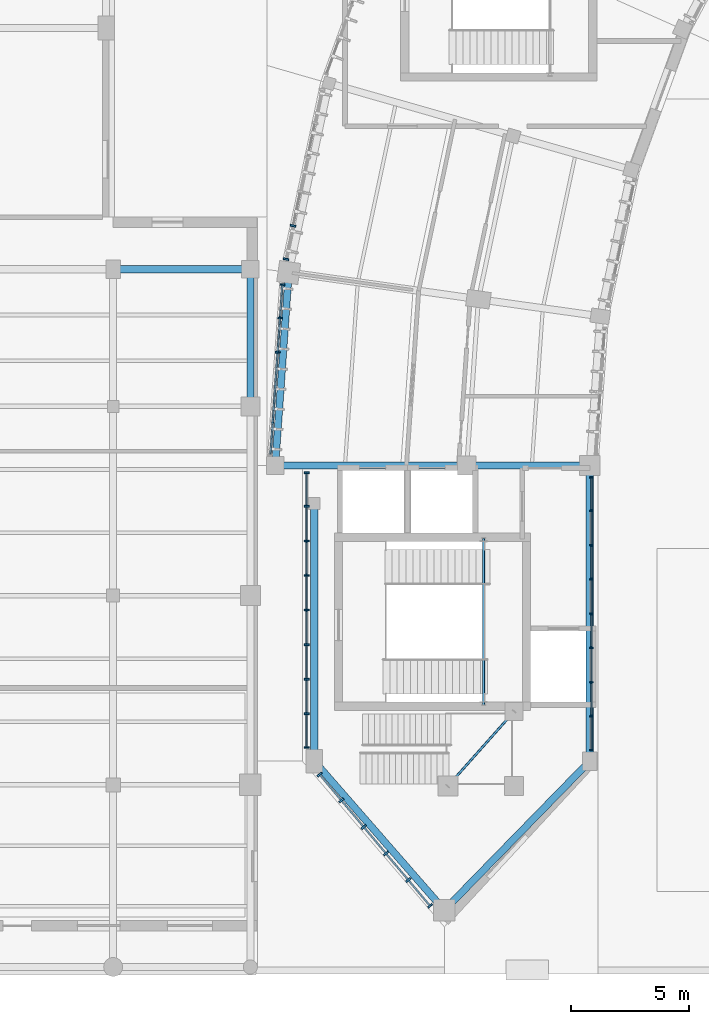
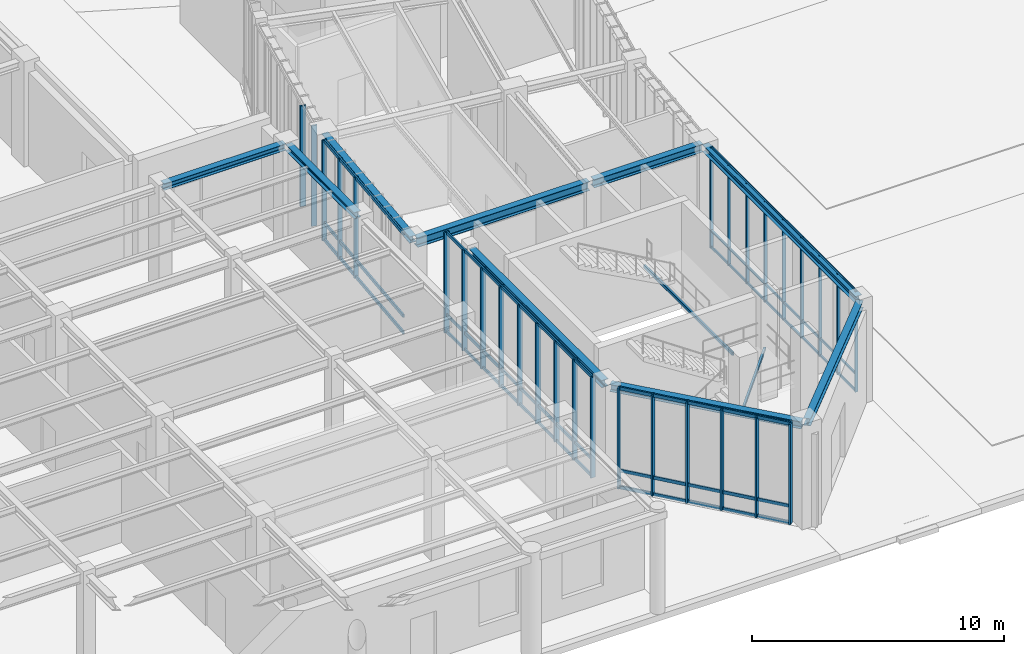
# One storey, part 4 of 68: 43 members, 9 beams, 5 elements without a shape of their own.
"""IFC4 building model written with IfcOpenShell, lengths in metres."""

from ifc_helpers import new_model, si_unit, direction, frame, origin, origin_2d, place, context, subcontext, project, spatial, rectangle, hollow_rectangle, i_section, extrude, material, layer, layer_set, material_profile, profile_set, type_object, element, aggregate, save


model = new_model("IFC4")

# Units and contexts
model_context = context("Model", 3, precision=1e-05, world=origin(), true_north=direction((0.0, 1.0)))
body_context = subcontext(model_context, "Body", "Model", "MODEL_VIEW")
ifc_project = project(units=[si_unit("LENGTHUNIT", "METRE"), si_unit("AREAUNIT", "SQUARE_METRE"), si_unit("VOLUMEUNIT", "CUBIC_METRE"), si_unit("PLANEANGLEUNIT", "RADIAN"), si_unit("MASSUNIT", "GRAM", prefix="KILO"), si_unit("THERMODYNAMICTEMPERATUREUNIT", "KELVIN"), si_unit("POWERUNIT", "WATT")], contexts=[model_context])

# Site, building, storey
site_placement = place(None, origin())
site = spatial("IfcSite", under=ifc_project, at=site_placement, CompositionType="ELEMENT")
building_placement = place(site_placement, origin())
building = spatial("IfcBuilding", under=site, at=building_placement, Name="Solvatero Civic Police Headquarters", CompositionType="ELEMENT")
storey_placement = place(building_placement, origin())
storey = spatial("IfcBuildingStorey", under=building, at=storey_placement, Name="L00", CompositionType="ELEMENT", Elevation=0.0)

# Beams
ifc_material_1 = material(Name="Steel S355", Category="steel")
ifc_material_profile_1 = material_profile(ifc_material_1, i_section(OverallWidth=0.300048828125, OverallDepth=0.31005859375, WebThickness=0.009033203125, FlangeThickness=0.015380859375, FilletRadius=0.027099609375, at=origin_2d()), Name="HEA 320")
ifc_profile_set_1 = profile_set([ifc_material_profile_1], Name="Steel S355")
beam_type_1 = type_object("IfcBeamType", Name="BM-ST-HEA320", PredefinedType="SPANDREL", material=ifc_profile_set_1)
beam_1_placement = place(storey_placement, frame((28.60009765625, 34.300048828125, 4.72509765625), z_axis=(1.0, 0.0, 0.0), x_axis=(0.0, 1.0, 0.0)))
element("IfcBeam", 1, at=beam_1_placement, inside=storey, type_object=beam_type_1, Name="Perimeter / radial spandrel beam BM-R2-L00-V4-GX-4-5", PredefinedType="SPANDREL", context=body_context, shape_type="SweptSolid", body=[
    extrude(i_section(OverallWidth=0.300048828125, OverallDepth=0.31005859375, WebThickness=0.009033203125, FlangeThickness=0.015380859375, FilletRadius=0.027099609375, at=origin_2d()), origin(), (0.0, 0.0, 1.0), 5.599853515625),
])
beam_2_placement = place(storey_placement, frame((34.300048828125, 28.659912109375, 4.72509765625), z_axis=(0.0, 1.0, 0.0), x_axis=(-1.0, 0.0, 0.0)))
element("IfcBeam", 2, at=beam_2_placement, inside=storey, type_object=beam_type_1, Name="Perimeter / radial spandrel beam BM-R2-L00-V4-GY-5-4", PredefinedType="SPANDREL", context=body_context, shape_type="SweptSolid", body=[
    extrude(i_section(OverallWidth=0.300048828125, OverallDepth=0.31005859375, WebThickness=0.009033203125, FlangeThickness=0.015380859375, FilletRadius=0.027099609375, at=origin_2d()), origin(), (0.0, 0.0, 1.0), 5.47998046875),
])
beam_3_placement = place(storey_placement, frame((35.913818359375, 34.062744140625, 4.72509765625), z_axis=(-0.06976460332, -0.997563481751, 0.0), x_axis=(0.997563481751, -0.06976460332, 0.0)))
element("IfcBeam", 3, at=beam_3_placement, inside=storey, type_object=beam_type_1, Name="Perimeter / radial spandrel beam BM-R2-L00-ARC-COUT-B12", PredefinedType="SPANDREL", context=body_context, shape_type="SweptSolid", body=[
    extrude(i_section(OverallWidth=0.300048828125, OverallDepth=0.31005859375, WebThickness=0.009033203125, FlangeThickness=0.015380859375, FilletRadius=0.027099609375, at=origin_2d()), origin(), (0.0, 0.0, 1.0), 7.982421875),
])
ifc_material_profile_2 = material_profile(ifc_material_1, i_section(OverallWidth=0.300048828125, OverallDepth=0.35009765625, WebThickness=0.010009765625, FlangeThickness=0.017578125, FilletRadius=0.027099609375, at=origin_2d()), Name="HEA 360")
ifc_profile_set_2 = profile_set([ifc_material_profile_2], Name="Steel S355")
beam_type_2 = type_object("IfcBeamType", Name="BM-ST-HEA360", PredefinedType="SPANDREL", material=ifc_profile_set_2)
beam_4_placement = place(storey_placement, frame((37.0, 24.239990234375, 4.705078125), z_axis=(0.0, -1.0, 0.0), x_axis=(1.0, 0.0, 0.0)))
element("IfcBeam", 4, at=beam_4_placement, inside=storey, type_object=beam_type_2, Name="Perimeter / radial spandrel beam BM-R2-L00-PROW-W", PredefinedType="SPANDREL", context=body_context, shape_type="SweptSolid", body=[
    extrude(i_section(OverallWidth=0.300048828125, OverallDepth=0.35009765625, WebThickness=0.010009765625, FlangeThickness=0.017578125, FilletRadius=0.027099609375, at=origin_2d()), origin(), (0.0, 0.0, 1.0), 10.580078125),
])
beam_5_placement = place(storey_placement, frame((37.105224609375, 13.37939453125, 4.705078125), z_axis=(0.657663937616, -0.753311452959, 0.0), x_axis=(0.753311452959, 0.657663937616, 0.0)))
element("IfcBeam", 5, at=beam_5_placement, inside=storey, type_object=beam_type_2, Name="Perimeter / radial spandrel beam BM-R2-L00-PROW-SW", PredefinedType="SPANDREL", context=body_context, shape_type="SweptSolid", body=[
    extrude(i_section(OverallWidth=0.300048828125, OverallDepth=0.35009765625, WebThickness=0.010009765625, FlangeThickness=0.017578125, FilletRadius=0.027099609375, at=origin_2d()), origin(), (0.0, 0.0, 1.0), 8.04296875),
])
beam_6_placement = place(storey_placement, frame((42.61181640625, 7.314453125, 4.705078125), z_axis=(0.698523042205, 0.715587562433, 0.0), x_axis=(-0.715587562433, 0.698523042205, 0.0)))
element("IfcBeam", 6, at=beam_6_placement, inside=storey, type_object=beam_type_2, Name="Perimeter / radial spandrel beam BM-R2-L00-PROW-SE", PredefinedType="SPANDREL", context=body_context, shape_type="SweptSolid", body=[
    extrude(i_section(OverallWidth=0.300048828125, OverallDepth=0.35009765625, WebThickness=0.010009765625, FlangeThickness=0.017578125, FilletRadius=0.027099609375, at=origin_2d()), origin(), (0.0, 0.0, 1.0), 8.48388671875),
])
beam_7_placement = place(storey_placement, frame((48.64990234375, 13.659912109375, 4.705078125), z_axis=(0.0, 1.0, 0.0), x_axis=(-1.0, 0.0, 0.0)))
element("IfcBeam", 7, at=beam_7_placement, inside=storey, type_object=beam_type_2, Name="Perimeter / radial spandrel beam BM-R2-L00-PROW-E", PredefinedType="SPANDREL", context=body_context, shape_type="SweptSolid", body=[
    extrude(i_section(OverallWidth=0.300048828125, OverallDepth=0.35009765625, WebThickness=0.010009765625, FlangeThickness=0.017578125, FilletRadius=0.027099609375, at=origin_2d()), origin(), (0.0, 0.0, 1.0), 12.18017578125),
])
ifc_material_profile_3 = material_profile(ifc_material_1, i_section(OverallWidth=0.300048828125, OverallDepth=0.389892578125, WebThickness=0.010986328125, FlangeThickness=0.01904296875, FilletRadius=0.027099609375, at=origin_2d()), Name="HEA 400")
ifc_profile_set_3 = profile_set([ifc_material_profile_3], Name="Steel S355")
beam_type_3 = type_object("IfcBeamType", Name="BM-ST-HEA400", PredefinedType="BEAM", material=ifc_profile_set_3)
beam_8_placement = place(storey_placement, frame((48.550048828125, 26.0, 4.68505859375), z_axis=(-1.0, 0.0, 0.0), x_axis=(0.0, -1.0, 0.0)))
element("IfcBeam", 8, at=beam_8_placement, inside=storey, type_object=beam_type_3, Name="Primary girder BM-R2-L00-ARC-RAD1-S12", PredefinedType="BEAM", context=body_context, shape_type="SweptSolid", body=[
    extrude(i_section(OverallWidth=0.300048828125, OverallDepth=0.389892578125, WebThickness=0.010986328125, FlangeThickness=0.01904296875, FilletRadius=0.027099609375, at=origin_2d()), origin(), (0.0, 0.0, 1.0), 5.0),
])
ifc_material_profile_4 = material_profile(ifc_material_1, i_section(OverallWidth=0.300048828125, OverallDepth=0.43994140625, WebThickness=0.011474609375, FlangeThickness=0.02099609375, FilletRadius=0.027099609375, at=origin_2d()), Name="HEA 450")
ifc_profile_set_4 = profile_set([ifc_material_profile_4], Name="Steel S355")
beam_type_4 = type_object("IfcBeamType", Name="BM-ST-HEA450", PredefinedType="BEAM", material=ifc_profile_set_4)
beam_9_placement = place(storey_placement, frame((43.35009765625, 26.0, 4.659912109375), z_axis=(-1.0, 0.0, 0.0), x_axis=(0.0, -1.0, 0.0)))
element("IfcBeam", 9, at=beam_9_placement, inside=storey, type_object=beam_type_4, Name="Primary girder BM-R2-L00-ARC-RAD2-S12", PredefinedType="BEAM", context=body_context, shape_type="SweptSolid", body=[
    extrude(i_section(OverallWidth=0.300048828125, OverallDepth=0.43994140625, WebThickness=0.011474609375, FlangeThickness=0.02099609375, FilletRadius=0.027099609375, at=origin_2d()), origin(), (0.0, 0.0, 1.0), 7.900146484375),
])

# Curtain wall, members
ifc_material_2 = material(Name="Anodized Bronze Aluminium", Category="aluminium")
ifc_layer_1 = layer(ifc_material_2, 0.179931640625)
ifc_layer_set_1 = layer_set([ifc_layer_1], Name="Anodized Bronze Aluminium")
curtain_wall_type_1 = type_object("IfcCurtainWallType", Name="CW-ARC-OUT", PredefinedType="USERDEFINED", material=ifc_layer_set_1)
curtain_wall_1_placement = place(storey_placement, origin())
curtain_wall_1 = element("IfcCurtainWall", 10, at=curtain_wall_1_placement, inside=storey, type_object=curtain_wall_type_1, Name="Curtain Wall CW-R2-L00-ARC-OUT-B11", ObjectType="UNITISED", PredefinedType="USERDEFINED")
ifc_material_profile_5 = material_profile(ifc_material_2, rectangle(XDim=0.080078125, YDim=0.239990234375, at=origin_2d()), Name="ALU MULLION 80x240")
ifc_profile_set_5 = profile_set([ifc_material_profile_5], Name="Anodized Bronze Aluminium")
member_type_1 = type_object("IfcMemberType", Name="CWM-140x60", PredefinedType="MULLION", material=ifc_profile_set_5)
member_1_placement = place(storey_placement, frame((36.10595703125, 36.1376953125, 0.0), z_axis=(0.0, 0.0, 1.0), x_axis=(-0.207911690818, -0.978147600734, 0.0)))
member_1 = element("IfcMember", 11, at=member_1_placement, type_object=member_type_1, Name="CW-R2-L00-ARC-OUT-B11 Mullion 5", PredefinedType="MULLION", context=body_context, shape_type="SweptSolid", body=[
    extrude(rectangle(XDim=0.080078125, YDim=0.239990234375, at=origin_2d()), origin(), (0.0, 0.0, 1.0), 4.8798828125),
])
member_2_placement = place(storey_placement, frame((35.806396484375, 34.728515625, 0.0), z_axis=(0.0, 0.0, 1.0), x_axis=(-0.207911690818, -0.978147600734, 0.0)))
member_2 = element("IfcMember", 12, at=member_2_placement, type_object=member_type_1, Name="CW-R2-L00-ARC-OUT-B11 Mullion 6", PredefinedType="MULLION", context=body_context, shape_type="SweptSolid", body=[
    extrude(rectangle(XDim=0.080078125, YDim=0.239990234375, at=origin_2d()), origin(), (0.0, 0.0, 1.0), 4.8798828125),
])
aggregate(curtain_wall_1, [member_1, member_2])

ifc_layer_2 = layer(ifc_material_2, 0.179931640625)
ifc_layer_set_2 = layer_set([ifc_layer_2], Name="Anodized Bronze Aluminium")
curtain_wall_type_2 = type_object("IfcCurtainWallType", Name="CW-PROW-GLZ", PredefinedType="USERDEFINED", material=ifc_layer_set_2)
curtain_wall_2_placement = place(storey_placement, origin())
curtain_wall_2 = element("IfcCurtainWall", 13, at=curtain_wall_2_placement, inside=storey, type_object=curtain_wall_type_2, Name="Curtain Wall CW-R2-L00-PROW-SW", ObjectType="UNITISED", PredefinedType="USERDEFINED")
member_3_placement = place(storey_placement, frame((37.22998046875, 12.935791015625, 0.0), z_axis=(0.0, 0.0, 1.0), x_axis=(0.643282165541, -0.765629189293, 0.0)))
member_3 = element("IfcMember", 14, at=member_3_placement, type_object=member_type_1, Name="CW-R2-L00-PROW-SW Mullion 1", PredefinedType="MULLION", context=body_context, shape_type="SweptSolid", body=[
    extrude(rectangle(XDim=0.080078125, YDim=0.239990234375, at=origin_2d()), origin(), (0.0, 0.0, 1.0), 4.8798828125),
])
member_4_placement = place(storey_placement, frame((38.1474609375, 11.84375, 0.0), z_axis=(0.0, 0.0, 1.0), x_axis=(0.643282165541, -0.765629189293, 0.0)))
member_4 = element("IfcMember", 15, at=member_4_placement, type_object=member_type_1, Name="CW-R2-L00-PROW-SW Mullion 2", PredefinedType="MULLION", context=body_context, shape_type="SweptSolid", body=[
    extrude(rectangle(XDim=0.080078125, YDim=0.239990234375, at=origin_2d()), origin(), (0.0, 0.0, 1.0), 4.8798828125),
])
member_5_placement = place(storey_placement, frame((39.0908203125, 10.720947265625, 0.0), z_axis=(0.0, 0.0, 1.0), x_axis=(0.643282165541, -0.765629189293, 0.0)))
member_5 = element("IfcMember", 16, at=member_5_placement, type_object=member_type_1, Name="CW-R2-L00-PROW-SW Mullion 3", PredefinedType="MULLION", context=body_context, shape_type="SweptSolid", body=[
    extrude(rectangle(XDim=0.080078125, YDim=0.239990234375, at=origin_2d()), origin(), (0.0, 0.0, 1.0), 4.8798828125),
])
member_6_placement = place(storey_placement, frame((40.033935546875, 9.598388671875, 0.0), z_axis=(0.0, 0.0, 1.0), x_axis=(0.643282165541, -0.765629189293, 0.0)))
member_6 = element("IfcMember", 17, at=member_6_placement, type_object=member_type_1, Name="CW-R2-L00-PROW-SW Mullion 4", PredefinedType="MULLION", context=body_context, shape_type="SweptSolid", body=[
    extrude(rectangle(XDim=0.080078125, YDim=0.239990234375, at=origin_2d()), origin(), (0.0, 0.0, 1.0), 4.8798828125),
])
member_7_placement = place(storey_placement, frame((40.977294921875, 8.4755859375, 0.0), z_axis=(0.0, 0.0, 1.0), x_axis=(0.643282165541, -0.765629189293, 0.0)))
member_7 = element("IfcMember", 18, at=member_7_placement, type_object=member_type_1, Name="CW-R2-L00-PROW-SW Mullion 5", PredefinedType="MULLION", context=body_context, shape_type="SweptSolid", body=[
    extrude(rectangle(XDim=0.080078125, YDim=0.239990234375, at=origin_2d()), origin(), (0.0, 0.0, 1.0), 4.8798828125),
])
member_8_placement = place(storey_placement, frame((41.894775390625, 7.3837890625, 0.0), z_axis=(0.0, 0.0, 1.0), x_axis=(0.643282165541, -0.765629189293, 0.0)))
member_8 = element("IfcMember", 19, at=member_8_placement, type_object=member_type_1, Name="CW-R2-L00-PROW-SW Mullion 6", PredefinedType="MULLION", context=body_context, shape_type="SweptSolid", body=[
    extrude(rectangle(XDim=0.080078125, YDim=0.239990234375, at=origin_2d()), origin(), (0.0, 0.0, 1.0), 4.8798828125),
])

curtain_wall_3_placement = place(storey_placement, origin())
curtain_wall_3 = element("IfcCurtainWall", 20, at=curtain_wall_3_placement, inside=storey, type_object=curtain_wall_type_2, Name="Curtain Wall CW-R2-L00-PROW-E", ObjectType="UNITISED", PredefinedType="USERDEFINED")
ifc_material_profile_6 = material_profile(ifc_material_2, rectangle(XDim=0.06005859375, YDim=0.139892578125, at=origin_2d()), Name="ALU MULLION 60x140")
ifc_profile_set_6 = profile_set([ifc_material_profile_6], Name="Anodized Bronze Aluminium")
member_type_2 = type_object("IfcMemberType", Name="CWM-160x65", PredefinedType="MULLION", material=ifc_profile_set_6)
member_9_placement = place(storey_placement, frame((48.719970703125, 13.97998046875, 0.0), z_axis=(0.0, 0.0, 1.0), x_axis=(0.0, 1.0, 0.0)))
member_9 = element("IfcMember", 21, at=member_9_placement, type_object=member_type_2, Name="CW-R2-L00-PROW-E Mullion 1", PredefinedType="MULLION", context=body_context, shape_type="SweptSolid", body=[
    extrude(rectangle(XDim=0.06005859375, YDim=0.139892578125, at=origin_2d()), origin(), (0.0, 0.0, 1.0), 4.8798828125),
])
member_10_placement = place(storey_placement, frame((48.719970703125, 15.389404296875, 0.0), z_axis=(0.0, 0.0, 1.0), x_axis=(0.0, 1.0, 0.0)))
member_10 = element("IfcMember", 22, at=member_10_placement, type_object=member_type_2, Name="CW-R2-L00-PROW-E Mullion 2", PredefinedType="MULLION", context=body_context, shape_type="SweptSolid", body=[
    extrude(rectangle(XDim=0.06005859375, YDim=0.139892578125, at=origin_2d()), origin(), (0.0, 0.0, 1.0), 4.8798828125),
])
member_11_placement = place(storey_placement, frame((48.719970703125, 16.8388671875, 0.0), z_axis=(0.0, 0.0, 1.0), x_axis=(0.0, 1.0, 0.0)))
member_11 = element("IfcMember", 23, at=member_11_placement, type_object=member_type_2, Name="CW-R2-L00-PROW-E Mullion 3", PredefinedType="MULLION", context=body_context, shape_type="SweptSolid", body=[
    extrude(rectangle(XDim=0.06005859375, YDim=0.139892578125, at=origin_2d()), origin(), (0.0, 0.0, 1.0), 4.8798828125),
])
member_12_placement = place(storey_placement, frame((48.719970703125, 18.2880859375, 0.0), z_axis=(0.0, 0.0, 1.0), x_axis=(0.0, 1.0, 0.0)))
member_12 = element("IfcMember", 24, at=member_12_placement, type_object=member_type_2, Name="CW-R2-L00-PROW-E Mullion 4", PredefinedType="MULLION", context=body_context, shape_type="SweptSolid", body=[
    extrude(rectangle(XDim=0.06005859375, YDim=0.139892578125, at=origin_2d()), origin(), (0.0, 0.0, 1.0), 4.8798828125),
])
member_13_placement = place(storey_placement, frame((48.719970703125, 19.737548828125, 0.0), z_axis=(0.0, 0.0, 1.0), x_axis=(0.0, 1.0, 0.0)))
member_13 = element("IfcMember", 25, at=member_13_placement, type_object=member_type_2, Name="CW-R2-L00-PROW-E Mullion 5", PredefinedType="MULLION", context=body_context, shape_type="SweptSolid", body=[
    extrude(rectangle(XDim=0.06005859375, YDim=0.139892578125, at=origin_2d()), origin(), (0.0, 0.0, 1.0), 4.8798828125),
])
member_14_placement = place(storey_placement, frame((48.719970703125, 21.18701171875, 0.0), z_axis=(0.0, 0.0, 1.0), x_axis=(0.0, 1.0, 0.0)))
member_14 = element("IfcMember", 26, at=member_14_placement, type_object=member_type_2, Name="CW-R2-L00-PROW-E Mullion 6", PredefinedType="MULLION", context=body_context, shape_type="SweptSolid", body=[
    extrude(rectangle(XDim=0.06005859375, YDim=0.139892578125, at=origin_2d()), origin(), (0.0, 0.0, 1.0), 4.8798828125),
])
member_15_placement = place(storey_placement, frame((48.719970703125, 22.63623046875, 0.0), z_axis=(0.0, 0.0, 1.0), x_axis=(0.0, 1.0, 0.0)))
member_15 = element("IfcMember", 27, at=member_15_placement, type_object=member_type_2, Name="CW-R2-L00-PROW-E Mullion 7", PredefinedType="MULLION", context=body_context, shape_type="SweptSolid", body=[
    extrude(rectangle(XDim=0.06005859375, YDim=0.139892578125, at=origin_2d()), origin(), (0.0, 0.0, 1.0), 4.8798828125),
])
member_16_placement = place(storey_placement, frame((48.719970703125, 24.085693359375, 0.0), z_axis=(0.0, 0.0, 1.0), x_axis=(0.0, 1.0, 0.0)))
member_16 = element("IfcMember", 28, at=member_16_placement, type_object=member_type_2, Name="CW-R2-L00-PROW-E Mullion 8", PredefinedType="MULLION", context=body_context, shape_type="SweptSolid", body=[
    extrude(rectangle(XDim=0.06005859375, YDim=0.139892578125, at=origin_2d()), origin(), (0.0, 0.0, 1.0), 4.8798828125),
])
member_17_placement = place(storey_placement, frame((48.719970703125, 25.4951171875, 0.0), z_axis=(0.0, 0.0, 1.0), x_axis=(0.0, 1.0, 0.0)))
member_17 = element("IfcMember", 29, at=member_17_placement, type_object=member_type_2, Name="CW-R2-L00-PROW-E Mullion 9", PredefinedType="MULLION", context=body_context, shape_type="SweptSolid", body=[
    extrude(rectangle(XDim=0.06005859375, YDim=0.139892578125, at=origin_2d()), origin(), (0.0, 0.0, 1.0), 4.8798828125),
])

curtain_wall_4_placement = place(storey_placement, origin())
curtain_wall_4 = element("IfcCurtainWall", 30, at=curtain_wall_4_placement, inside=storey, type_object=curtain_wall_type_1, Name="Curtain Wall CW-R2-L00-ARC-OUT-B12", ObjectType="UNITISED", PredefinedType="USERDEFINED")
ifc_material_profile_7 = material_profile(ifc_material_2, rectangle(XDim=0.070068359375, YDim=0.199951171875, at=origin_2d()), Name="ALU MULLION 70x200")
ifc_profile_set_7 = profile_set([ifc_material_profile_7], Name="Anodized Bronze Aluminium")
member_type_3 = type_object("IfcMemberType", Name="CWM-220x80", PredefinedType="MULLION", material=ifc_profile_set_7)
member_18_placement = place(storey_placement, frame((35.65478515625, 33.64990234375, 0.0), z_axis=(0.0, 0.0, 1.0), x_axis=(-0.069756473744, -0.99756405026, 0.0)))
member_18 = element("IfcMember", 31, at=member_18_placement, type_object=member_type_3, Name="CW-R2-L00-ARC-OUT-B12 Mullion 1", PredefinedType="MULLION", context=body_context, shape_type="SweptSolid", body=[
    extrude(rectangle(XDim=0.070068359375, YDim=0.199951171875, at=origin_2d()), origin(), (0.0, 0.0, 1.0), 4.8798828125),
])
member_19_placement = place(storey_placement, frame((35.55615234375, 32.23779296875, 0.0), z_axis=(0.0, 0.0, 1.0), x_axis=(-0.069756473744, -0.99756405026, 0.0)))
member_19 = element("IfcMember", 32, at=member_19_placement, type_object=member_type_3, Name="CW-R2-L00-ARC-OUT-B12 Mullion 2", PredefinedType="MULLION", context=body_context, shape_type="SweptSolid", body=[
    extrude(rectangle(XDim=0.070068359375, YDim=0.199951171875, at=origin_2d()), origin(), (0.0, 0.0, 1.0), 4.8798828125),
])
member_20_placement = place(storey_placement, frame((35.45458984375, 30.785888671875, 0.0), z_axis=(0.0, 0.0, 1.0), x_axis=(-0.069756473744, -0.99756405026, 0.0)))
member_20 = element("IfcMember", 33, at=member_20_placement, type_object=member_type_3, Name="CW-R2-L00-ARC-OUT-B12 Mullion 3", PredefinedType="MULLION", context=body_context, shape_type="SweptSolid", body=[
    extrude(rectangle(XDim=0.070068359375, YDim=0.199951171875, at=origin_2d()), origin(), (0.0, 0.0, 1.0), 4.8798828125),
])

curtain_wall_5_placement = place(storey_placement, origin())
curtain_wall_5 = element("IfcCurtainWall", 34, at=curtain_wall_5_placement, inside=storey, type_object=curtain_wall_type_2, Name="Curtain Wall CW-R2-L00-PROW-W", ObjectType="UNITISED", PredefinedType="USERDEFINED")
ifc_material_profile_8 = material_profile(ifc_material_2, rectangle(XDim=0.074951171875, YDim=0.219970703125, at=origin_2d()), Name="ALU MULLION 75x220")
ifc_profile_set_8 = profile_set([ifc_material_profile_8], Name="Anodized Bronze Aluminium")
member_type_4 = type_object("IfcMemberType", Name="CWM-250x85", PredefinedType="MULLION", material=ifc_profile_set_8)
member_21_placement = place(storey_placement, frame((36.679931640625, 25.699951171875, 0.0), z_axis=(0.0, 0.0, 1.0), x_axis=(0.0, -1.0, 0.0)))
member_21 = element("IfcMember", 35, at=member_21_placement, type_object=member_type_4, Name="CW-R2-L00-PROW-W Mullion 1", PredefinedType="MULLION", context=body_context, shape_type="SweptSolid", body=[
    extrude(rectangle(XDim=0.074951171875, YDim=0.219970703125, at=origin_2d()), origin(), (0.0, 0.0, 1.0), 4.8798828125),
])
member_22_placement = place(storey_placement, frame((36.679931640625, 24.277587890625, 0.0), z_axis=(0.0, 0.0, 1.0), x_axis=(0.0, -1.0, 0.0)))
member_22 = element("IfcMember", 36, at=member_22_placement, type_object=member_type_4, Name="CW-R2-L00-PROW-W Mullion 2", PredefinedType="MULLION", context=body_context, shape_type="SweptSolid", body=[
    extrude(rectangle(XDim=0.074951171875, YDim=0.219970703125, at=origin_2d()), origin(), (0.0, 0.0, 1.0), 4.8798828125),
])
member_23_placement = place(storey_placement, frame((36.679931640625, 22.81494140625, 0.0), z_axis=(0.0, 0.0, 1.0), x_axis=(0.0, -1.0, 0.0)))
member_23 = element("IfcMember", 37, at=member_23_placement, type_object=member_type_4, Name="CW-R2-L00-PROW-W Mullion 3", PredefinedType="MULLION", context=body_context, shape_type="SweptSolid", body=[
    extrude(rectangle(XDim=0.074951171875, YDim=0.219970703125, at=origin_2d()), origin(), (0.0, 0.0, 1.0), 4.8798828125),
])
member_24_placement = place(storey_placement, frame((36.679931640625, 21.3525390625, 0.0), z_axis=(0.0, 0.0, 1.0), x_axis=(0.0, -1.0, 0.0)))
member_24 = element("IfcMember", 38, at=member_24_placement, type_object=member_type_4, Name="CW-R2-L00-PROW-W Mullion 4", PredefinedType="MULLION", context=body_context, shape_type="SweptSolid", body=[
    extrude(rectangle(XDim=0.074951171875, YDim=0.219970703125, at=origin_2d()), origin(), (0.0, 0.0, 1.0), 4.8798828125),
])
member_25_placement = place(storey_placement, frame((36.679931640625, 19.889892578125, 0.0), z_axis=(0.0, 0.0, 1.0), x_axis=(0.0, -1.0, 0.0)))
member_25 = element("IfcMember", 39, at=member_25_placement, type_object=member_type_4, Name="CW-R2-L00-PROW-W Mullion 5", PredefinedType="MULLION", context=body_context, shape_type="SweptSolid", body=[
    extrude(rectangle(XDim=0.074951171875, YDim=0.219970703125, at=origin_2d()), origin(), (0.0, 0.0, 1.0), 4.8798828125),
])
member_26_placement = place(storey_placement, frame((36.679931640625, 18.427490234375, 0.0), z_axis=(0.0, 0.0, 1.0), x_axis=(0.0, -1.0, 0.0)))
member_26 = element("IfcMember", 40, at=member_26_placement, type_object=member_type_4, Name="CW-R2-L00-PROW-W Mullion 6", PredefinedType="MULLION", context=body_context, shape_type="SweptSolid", body=[
    extrude(rectangle(XDim=0.074951171875, YDim=0.219970703125, at=origin_2d()), origin(), (0.0, 0.0, 1.0), 4.8798828125),
])
member_27_placement = place(storey_placement, frame((36.679931640625, 16.965087890625, 0.0), z_axis=(0.0, 0.0, 1.0), x_axis=(0.0, -1.0, 0.0)))
member_27 = element("IfcMember", 41, at=member_27_placement, type_object=member_type_4, Name="CW-R2-L00-PROW-W Mullion 7", PredefinedType="MULLION", context=body_context, shape_type="SweptSolid", body=[
    extrude(rectangle(XDim=0.074951171875, YDim=0.219970703125, at=origin_2d()), origin(), (0.0, 0.0, 1.0), 4.8798828125),
])
member_28_placement = place(storey_placement, frame((36.679931640625, 15.50244140625, 0.0), z_axis=(0.0, 0.0, 1.0), x_axis=(0.0, -1.0, 0.0)))
member_28 = element("IfcMember", 42, at=member_28_placement, type_object=member_type_4, Name="CW-R2-L00-PROW-W Mullion 8", PredefinedType="MULLION", context=body_context, shape_type="SweptSolid", body=[
    extrude(rectangle(XDim=0.074951171875, YDim=0.219970703125, at=origin_2d()), origin(), (0.0, 0.0, 1.0), 4.8798828125),
])
member_29_placement = place(storey_placement, frame((36.679931640625, 14.080078125, 0.0), z_axis=(0.0, 0.0, 1.0), x_axis=(0.0, -1.0, 0.0)))
member_29 = element("IfcMember", 43, at=member_29_placement, type_object=member_type_4, Name="CW-R2-L00-PROW-W Mullion 9", PredefinedType="MULLION", context=body_context, shape_type="SweptSolid", body=[
    extrude(rectangle(XDim=0.074951171875, YDim=0.219970703125, at=origin_2d()), origin(), (0.0, 0.0, 1.0), 4.8798828125),
])

# Member
ifc_material_profile_9 = material_profile(ifc_material_2, rectangle(XDim=0.070068359375, YDim=0.159912109375, at=origin_2d()), Name="ALU TRANSOM 70x160")
ifc_profile_set_9 = profile_set([ifc_material_profile_9], Name="Anodized Bronze Aluminium")
member_type_5 = type_object("IfcMemberType", Name="CWT-120x55", PredefinedType="USERDEFINED", material=ifc_profile_set_9)
member_30_placement = place(storey_placement, frame((35.654296875, 33.639892578125, 0.0400390625), z_axis=(-0.069765152328, -0.997563443356, 0.0), x_axis=(0.997563443356, -0.069765152328, 0.0)))
member_30 = element("IfcMember", 44, at=member_30_placement, type_object=member_type_5, Name="CW-R2-L00-ARC-OUT-B12 Transom 1", ObjectType="TRANSOM", PredefinedType="USERDEFINED", context=body_context, shape_type="SweptSolid", body=[
    extrude(rectangle(XDim=0.070068359375, YDim=0.159912109375, at=origin_2d()), origin(), (0.0, 0.0, 1.0), 7.177490234375),
])

member_31_placement = place(storey_placement, frame((35.654296875, 33.639892578125, 0.85009765625), z_axis=(-0.069765152328, -0.997563443356, 0.0), x_axis=(0.997563443356, -0.069765152328, 0.0)))
member_31 = element("IfcMember", 45, at=member_31_placement, type_object=member_type_5, Name="CW-R2-L00-ARC-OUT-B12 Transom 2", ObjectType="TRANSOM", PredefinedType="USERDEFINED", context=body_context, shape_type="SweptSolid", body=[
    extrude(rectangle(XDim=0.070068359375, YDim=0.159912109375, at=origin_2d()), origin(), (0.0, 0.0, 1.0), 7.177490234375),
])

member_32_placement = place(storey_placement, frame((35.654296875, 33.639892578125, 4.840087890625), z_axis=(-0.069765152328, -0.997563443356, 0.0), x_axis=(0.997563443356, -0.069765152328, 0.0)))
member_32 = element("IfcMember", 46, at=member_32_placement, type_object=member_type_5, Name="CW-R2-L00-ARC-OUT-B12 Transom 3", ObjectType="TRANSOM", PredefinedType="USERDEFINED", context=body_context, shape_type="SweptSolid", body=[
    extrude(rectangle(XDim=0.070068359375, YDim=0.159912109375, at=origin_2d()), origin(), (0.0, 0.0, 1.0), 7.177490234375),
])

aggregate(curtain_wall_4, [member_18, member_19, member_20, member_30, member_31, member_32])

member_33_placement = place(storey_placement, frame((37.236572265625, 12.927978515625, 0.0400390625), z_axis=(0.643260969015, -0.765646998128, 0.0), x_axis=(0.765646998128, 0.643260969015, 0.0)))
member_33 = element("IfcMember", 47, at=member_33_placement, type_object=member_type_5, Name="CW-R2-L00-PROW-SW Transom 1", ObjectType="TRANSOM", PredefinedType="USERDEFINED", context=body_context, shape_type="SweptSolid", body=[
    extrude(rectangle(XDim=0.070068359375, YDim=0.159912109375, at=origin_2d()), origin(), (0.0, 0.0, 1.0), 7.231201171875),
])

member_34_placement = place(storey_placement, frame((37.236572265625, 12.927978515625, 0.85009765625), z_axis=(0.643260969015, -0.765646998128, 0.0), x_axis=(0.765646998128, 0.643260969015, 0.0)))
member_34 = element("IfcMember", 48, at=member_34_placement, type_object=member_type_5, Name="CW-R2-L00-PROW-SW Transom 2", ObjectType="TRANSOM", PredefinedType="USERDEFINED", context=body_context, shape_type="SweptSolid", body=[
    extrude(rectangle(XDim=0.070068359375, YDim=0.159912109375, at=origin_2d()), origin(), (0.0, 0.0, 1.0), 7.231201171875),
])

member_35_placement = place(storey_placement, frame((37.236572265625, 12.927978515625, 4.840087890625), z_axis=(0.643260969015, -0.765646998128, 0.0), x_axis=(0.765646998128, 0.643260969015, 0.0)))
member_35 = element("IfcMember", 49, at=member_35_placement, type_object=member_type_5, Name="CW-R2-L00-PROW-SW Transom 3", ObjectType="TRANSOM", PredefinedType="USERDEFINED", context=body_context, shape_type="SweptSolid", body=[
    extrude(rectangle(XDim=0.070068359375, YDim=0.159912109375, at=origin_2d()), origin(), (0.0, 0.0, 1.0), 7.231201171875),
])

aggregate(curtain_wall_2, [member_3, member_4, member_5, member_6, member_7, member_8, member_33, member_34, member_35])

ifc_material_profile_10 = material_profile(ifc_material_2, rectangle(XDim=0.06005859375, YDim=0.110107421875, at=origin_2d()), Name="ALU TRANSOM 60x110")
ifc_profile_set_10 = profile_set([ifc_material_profile_10], Name="Anodized Bronze Aluminium")
member_type_6 = type_object("IfcMemberType", Name="CWT-140x60", PredefinedType="USERDEFINED", material=ifc_profile_set_10)
member_36_placement = place(storey_placement, frame((48.719970703125, 13.989990234375, 0.0400390625), z_axis=(0.0, 1.0, 0.0), x_axis=(-1.0, 0.0, 0.0)))
member_36 = element("IfcMember", 50, at=member_36_placement, type_object=member_type_6, Name="CW-R2-L00-PROW-E Transom 1", ObjectType="TRANSOM", PredefinedType="USERDEFINED", context=body_context, shape_type="SweptSolid", body=[
    extrude(rectangle(XDim=0.06005859375, YDim=0.110107421875, at=origin_2d()), origin(), (0.0, 0.0, 1.0), 11.4951171875),
])

member_37_placement = place(storey_placement, frame((48.719970703125, 13.989990234375, 0.85009765625), z_axis=(0.0, 1.0, 0.0), x_axis=(-1.0, 0.0, 0.0)))
member_37 = element("IfcMember", 51, at=member_37_placement, type_object=member_type_6, Name="CW-R2-L00-PROW-E Transom 2", ObjectType="TRANSOM", PredefinedType="USERDEFINED", context=body_context, shape_type="SweptSolid", body=[
    extrude(rectangle(XDim=0.06005859375, YDim=0.110107421875, at=origin_2d()), origin(), (0.0, 0.0, 1.0), 11.4951171875),
])

member_38_placement = place(storey_placement, frame((48.719970703125, 13.989990234375, 4.840087890625), z_axis=(0.0, 1.0, 0.0), x_axis=(-1.0, 0.0, 0.0)))
member_38 = element("IfcMember", 52, at=member_38_placement, type_object=member_type_6, Name="CW-R2-L00-PROW-E Transom 3", ObjectType="TRANSOM", PredefinedType="USERDEFINED", context=body_context, shape_type="SweptSolid", body=[
    extrude(rectangle(XDim=0.06005859375, YDim=0.110107421875, at=origin_2d()), origin(), (0.0, 0.0, 1.0), 11.4951171875),
])

aggregate(curtain_wall_3, [member_9, member_10, member_11, member_12, member_13, member_14, member_15, member_16, member_17, member_36, member_37, member_38])

ifc_material_profile_11 = material_profile(ifc_material_2, rectangle(XDim=0.06494140625, YDim=0.139892578125, at=origin_2d()), Name="ALU TRANSOM 65x140")
ifc_profile_set_11 = profile_set([ifc_material_profile_11], Name="Anodized Bronze Aluminium")
member_type_7 = type_object("IfcMemberType", Name="CWT-180x70", PredefinedType="USERDEFINED", material=ifc_profile_set_11)
member_39_placement = place(storey_placement, frame((36.679931640625, 25.68994140625, 0.0400390625), z_axis=(0.0, -1.0, 0.0), x_axis=(1.0, 0.0, 0.0)))
member_39 = element("IfcMember", 53, at=member_39_placement, type_object=member_type_7, Name="CW-R2-L00-PROW-W Transom 1", ObjectType="TRANSOM", PredefinedType="USERDEFINED", context=body_context, shape_type="SweptSolid", body=[
    extrude(rectangle(XDim=0.06494140625, YDim=0.139892578125, at=origin_2d()), origin(), (0.0, 0.0, 1.0), 11.599853515625),
])

member_40_placement = place(storey_placement, frame((36.679931640625, 25.68994140625, 0.85009765625), z_axis=(0.0, -1.0, 0.0), x_axis=(1.0, 0.0, 0.0)))
member_40 = element("IfcMember", 54, at=member_40_placement, type_object=member_type_7, Name="CW-R2-L00-PROW-W Transom 2", ObjectType="TRANSOM", PredefinedType="USERDEFINED", context=body_context, shape_type="SweptSolid", body=[
    extrude(rectangle(XDim=0.06494140625, YDim=0.139892578125, at=origin_2d()), origin(), (0.0, 0.0, 1.0), 11.599853515625),
])

member_41_placement = place(storey_placement, frame((36.679931640625, 25.68994140625, 4.840087890625), z_axis=(0.0, -1.0, 0.0), x_axis=(1.0, 0.0, 0.0)))
member_41 = element("IfcMember", 55, at=member_41_placement, type_object=member_type_7, Name="CW-R2-L00-PROW-W Transom 3", ObjectType="TRANSOM", PredefinedType="USERDEFINED", context=body_context, shape_type="SweptSolid", body=[
    extrude(rectangle(XDim=0.06494140625, YDim=0.139892578125, at=origin_2d()), origin(), (0.0, 0.0, 1.0), 11.599853515625),
])

aggregate(curtain_wall_5, [member_21, member_22, member_23, member_24, member_25, member_26, member_27, member_28, member_29, member_39, member_40, member_41])

# Members
ifc_material_profile_12 = material_profile(ifc_material_1, hollow_rectangle(XDim=0.10009765625, YDim=0.14990234375, WallThickness=0.00634765625, InnerFilletRadius=0.00634765625, OuterFilletRadius=0.0126953125, at=origin_2d()), Name="RHS 150x100x6.3")
ifc_profile_set_12 = profile_set([ifc_material_profile_12], Name="Steel S355")
member_type_8 = type_object("IfcMemberType", Name="MB-BR-RHS150", PredefinedType="BRACE", material=ifc_profile_set_12)
member_42_placement = place(storey_placement, frame((44.1650390625, 15.8798828125, 2.27490234375), z_axis=(0.0, 1.0, 0.0), x_axis=(-1.0, 0.0, 0.0)))
element("IfcMember", 56, at=member_42_placement, inside=storey, type_object=member_type_8, Name="ST-C1 L00 Landing Support Beam", PredefinedType="BRACE", context=body_context, shape_type="SweptSolid", body=[
    extrude(hollow_rectangle(XDim=0.10009765625, YDim=0.14990234375, WallThickness=0.00634765625, InnerFilletRadius=0.00634765625, OuterFilletRadius=0.0126953125, at=origin_2d()), origin(), (0.0, 0.0, 1.0), 7.0400390625),
])
member_43_placement = place(storey_placement, frame((42.64990234375, 12.449951171875, 2.260009765625), z_axis=(0.664353052544, 0.747418906354, 0.0), x_axis=(-0.747418906354, 0.664353052544, 0.0)))
element("IfcMember", 57, at=member_43_placement, inside=storey, type_object=member_type_8, Name="ST-PRW L00 Landing Beam", PredefinedType="BRACE", context=body_context, shape_type="SweptSolid", body=[
    extrude(hollow_rectangle(XDim=0.10009765625, YDim=0.14990234375, WallThickness=0.00634765625, InnerFilletRadius=0.00634765625, OuterFilletRadius=0.0126953125, at=origin_2d()), origin(), (0.0, 0.0, 1.0), 4.214599609375),
])

save(model, "model.ifc")
